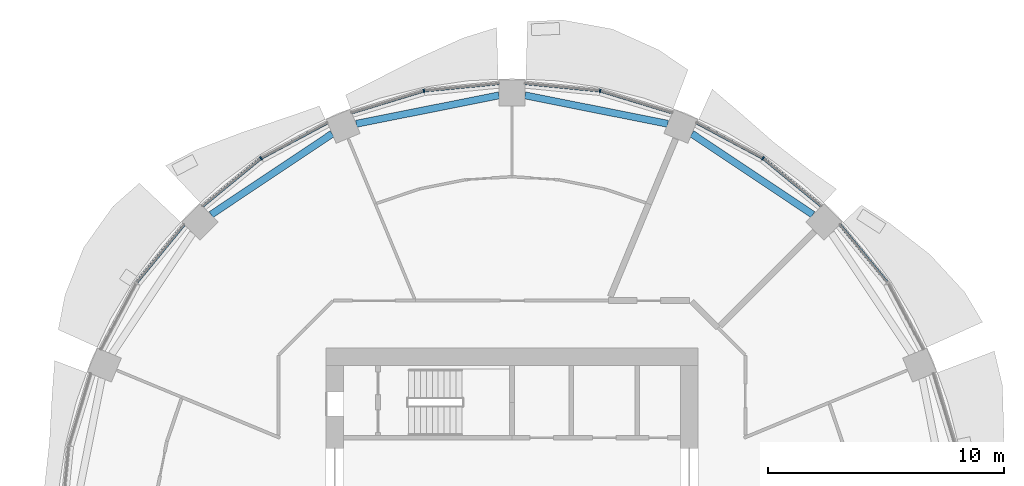
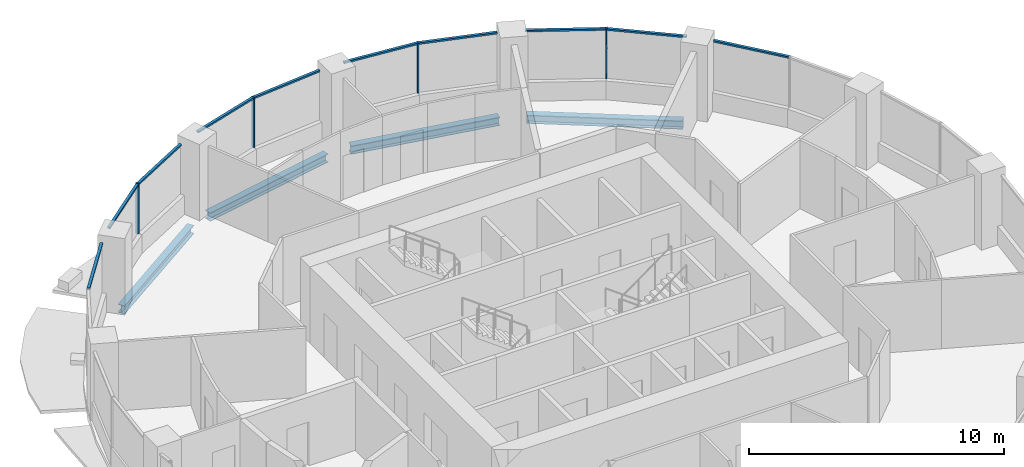
# One storey, part 5 of 14: 14 members, 4 beams, 6 elements without a shape of their own.
"""IFC4 building model written with IfcOpenShell, lengths in metres."""

from ifc_helpers import new_model, si_unit, direction, frame, origin, origin_2d, place, context, subcontext, project, spatial, rectangle, i_section, extrude, material, material_profile, profile_set, type_object, element, aggregate, save


model = new_model("IFC4")

# Units and contexts
model_context = context("Model", 3, precision=1e-05, world=origin(), true_north=direction((0.0, 1.0)))
body_context = subcontext(model_context, "Body", "Model", "MODEL_VIEW")
ifc_project = project(units=[si_unit("LENGTHUNIT", "METRE"), si_unit("AREAUNIT", "SQUARE_METRE"), si_unit("VOLUMEUNIT", "CUBIC_METRE"), si_unit("PLANEANGLEUNIT", "RADIAN"), si_unit("MASSUNIT", "GRAM", prefix="KILO")], contexts=[model_context])

# Site, building, storey
site_placement = place(None, origin())
site = spatial("IfcSite", under=ifc_project, at=site_placement, CompositionType="ELEMENT")
building_placement = place(site_placement, origin())
building = spatial("IfcBuilding", under=site, at=building_placement, Name="Polderwave Tower", CompositionType="ELEMENT")
storey_placement = place(building_placement, frame((0.0, 0.0, 98.300048828125)))
storey = spatial("IfcBuildingStorey", under=building, at=storey_placement, Name="L25", CompositionType="ELEMENT", Elevation=98.300048828125)

# Curtain wall, member
ifc_material_1 = material(Name="Aluminium 6063-T6 and glass", Category="aluminium")
curtain_wall_type = type_object("IfcCurtainWallType", Name="Growing floor ribbon glazing wall", PredefinedType="NOTDEFINED", material=ifc_material_1)
curtain_wall_1_placement = place(storey_placement, origin())
curtain_wall_1 = element("IfcCurtainWall", 1, at=curtain_wall_1_placement, inside=storey, type_object=curtain_wall_type, Name="CW2 L25 02", PredefinedType="NOTDEFINED")
ifc_material_2 = material(Name="Aluminium 6063-T6", Category="aluminium")
ifc_material_profile_1 = material_profile(ifc_material_2, rectangle(XDim=0.14990234375, YDim=0.06005859375, at=origin_2d()), Name="AL 60x150")
ifc_profile_set_1 = profile_set([ifc_material_profile_1], Name="Aluminium 6063-T6")
member_type_1 = type_object("IfcMemberType", Name="Growing floor ribbon glazing mullion 60x150", PredefinedType="MULLION", material=ifc_profile_set_1)
member_1_placement = place(storey_placement, frame((10.623046875, 15.89794921875, 0.89990234375), z_axis=(0.0, 0.0, 1.0), x_axis=(-0.555573135393, -0.831467672992, 0.0)))
member_1 = element("IfcMember", 2, at=member_1_placement, type_object=member_type_1, Name="CW2 mullion 1", PredefinedType="MULLION", context=body_context, shape_type="SweptSolid", body=[
    extrude(rectangle(XDim=0.14990234375, YDim=0.06005859375, at=origin_2d()), origin(), (0.0, 0.0, 1.0), 2.400146484375),
])

curtain_wall_2_placement = place(storey_placement, origin())
curtain_wall_2 = element("IfcCurtainWall", 3, at=curtain_wall_2_placement, inside=storey, type_object=curtain_wall_type, Name="CW2 L25 03", PredefinedType="NOTDEFINED")
member_2_placement = place(storey_placement, frame((3.72998046875, 18.7529296875, 0.89990234375), z_axis=(0.0, 0.0, 1.0), x_axis=(-0.195112575278, -0.980780853692, 0.0)))
member_2 = element("IfcMember", 4, at=member_2_placement, type_object=member_type_1, Name="CW2 mullion 1", PredefinedType="MULLION", context=body_context, shape_type="SweptSolid", body=[
    extrude(rectangle(XDim=0.14990234375, YDim=0.06005859375, at=origin_2d()), origin(), (0.0, 0.0, 1.0), 2.400146484375),
])

curtain_wall_3_placement = place(storey_placement, origin())
curtain_wall_3 = element("IfcCurtainWall", 5, at=curtain_wall_3_placement, inside=storey, type_object=curtain_wall_type, Name="CW2 L25 04", PredefinedType="NOTDEFINED")
member_3_placement = place(storey_placement, frame((-3.72998046875, 18.7529296875, 0.89990234375), z_axis=(0.0, 0.0, 1.0), x_axis=(0.195112575278, -0.980780853692, 0.0)))
member_3 = element("IfcMember", 6, at=member_3_placement, type_object=member_type_1, Name="CW2 mullion 1", PredefinedType="MULLION", context=body_context, shape_type="SweptSolid", body=[
    extrude(rectangle(XDim=0.14990234375, YDim=0.06005859375, at=origin_2d()), origin(), (0.0, 0.0, 1.0), 2.400146484375),
])

curtain_wall_4_placement = place(storey_placement, origin())
curtain_wall_4 = element("IfcCurtainWall", 7, at=curtain_wall_4_placement, inside=storey, type_object=curtain_wall_type, Name="CW2 L25 05", PredefinedType="NOTDEFINED")
member_4_placement = place(storey_placement, frame((-10.623046875, 15.89794921875, 0.89990234375), z_axis=(0.0, 0.0, 1.0), x_axis=(0.555573135393, -0.831467672992, 0.0)))
member_4 = element("IfcMember", 8, at=member_4_placement, type_object=member_type_1, Name="CW2 mullion 1", PredefinedType="MULLION", context=body_context, shape_type="SweptSolid", body=[
    extrude(rectangle(XDim=0.14990234375, YDim=0.06005859375, at=origin_2d()), origin(), (0.0, 0.0, 1.0), 2.400146484375),
])

curtain_wall_5_placement = place(storey_placement, origin())
curtain_wall_5 = element("IfcCurtainWall", 9, at=curtain_wall_5_placement, inside=storey, type_object=curtain_wall_type, Name="CW2 L25 01", PredefinedType="NOTDEFINED")
ifc_material_profile_2 = material_profile(ifc_material_2, rectangle(XDim=0.1201171875, YDim=0.080078125, at=origin_2d()), Name="AL 80x120")
ifc_profile_set_2 = profile_set([ifc_material_profile_2], Name="Aluminium 6063-T6")
member_type_2 = type_object("IfcMemberType", Name="Growing floor ribbon glazing transom 80x120", PredefinedType="USERDEFINED", material=ifc_profile_set_2)
member_5_placement = place(storey_placement, frame((15.87890625, 10.646240234375, 3.260009765625), z_axis=(-0.634538762198, 0.772891039712, 0.0), x_axis=(-0.772891039712, -0.634538762198, 0.0)))
member_5 = element("IfcMember", 10, at=member_5_placement, type_object=member_type_2, Name="CW2 transom 2", ObjectType="TRANSOM", PredefinedType="USERDEFINED", context=body_context, shape_type="SweptSolid", body=[
    extrude(rectangle(XDim=0.1201171875, YDim=0.080078125, at=origin_2d()), origin(), (0.0, 0.0, 1.0), 3.165771484375),
])
aggregate(curtain_wall_5, [member_5])

# Member
member_6_placement = place(storey_placement, frame((13.093017578125, 13.8701171875, 3.260009765625), z_axis=(-0.772891039712, 0.634538762198, 0.0), x_axis=(-0.634538762198, -0.772891039712, 0.0)))
member_6 = element("IfcMember", 11, at=member_6_placement, type_object=member_type_2, Name="CW2 transom 1", ObjectType="TRANSOM", PredefinedType="USERDEFINED", context=body_context, shape_type="SweptSolid", body=[
    extrude(rectangle(XDim=0.1201171875, YDim=0.080078125, at=origin_2d()), origin(), (0.0, 0.0, 1.0), 3.165771484375),
])

member_7_placement = place(storey_placement, frame((10.596435546875, 15.912109375, 3.260009765625), z_axis=(-0.882009036404, 0.471232490074, 0.0), x_axis=(-0.471232490074, -0.882009036404, 0.0)))
member_7 = element("IfcMember", 12, at=member_7_placement, type_object=member_type_2, Name="CW2 transom 2", ObjectType="TRANSOM", PredefinedType="USERDEFINED", context=body_context, shape_type="SweptSolid", body=[
    extrude(rectangle(XDim=0.1201171875, YDim=0.080078125, at=origin_2d()), origin(), (0.0, 0.0, 1.0), 3.166015625),
])

aggregate(curtain_wall_1, [member_1, member_6, member_7])

member_8_placement = place(storey_placement, frame((6.7880859375, 17.824951171875, 3.260009765625), z_axis=(-0.956895886584, 0.290431166093, 0.0), x_axis=(-0.290431166093, -0.956895886584, 0.0)))
member_8 = element("IfcMember", 13, at=member_8_placement, type_object=member_type_2, Name="CW2 transom 1", ObjectType="TRANSOM", PredefinedType="USERDEFINED", context=body_context, shape_type="SweptSolid", body=[
    extrude(rectangle(XDim=0.1201171875, YDim=0.080078125, at=origin_2d()), origin(), (0.0, 0.0, 1.0), 3.165771484375),
])

member_9_placement = place(storey_placement, frame((3.7001953125, 18.755859375, 3.260009765625), z_axis=(-0.995191003597, 0.097953388713, 0.0), x_axis=(-0.097953388713, -0.995191003597, 0.0)))
member_9 = element("IfcMember", 14, at=member_9_placement, type_object=member_type_2, Name="CW2 transom 2", ObjectType="TRANSOM", PredefinedType="USERDEFINED", context=body_context, shape_type="SweptSolid", body=[
    extrude(rectangle(XDim=0.1201171875, YDim=0.080078125, at=origin_2d()), origin(), (0.0, 0.0, 1.0), 3.165283203125),
])

aggregate(curtain_wall_2, [member_2, member_8, member_9])

member_10_placement = place(storey_placement, frame((-0.550048828125, 19.06591796875, 3.260009765625), z_axis=(-0.995191003597, -0.097953388713, 0.0), x_axis=(0.097953388713, -0.995191003597, 0.0)))
member_10 = element("IfcMember", 15, at=member_10_placement, type_object=member_type_2, Name="CW2 transom 1", ObjectType="TRANSOM", PredefinedType="USERDEFINED", context=body_context, shape_type="SweptSolid", body=[
    extrude(rectangle(XDim=0.1201171875, YDim=0.080078125, at=origin_2d()), origin(), (0.0, 0.0, 1.0), 3.165283203125),
])

member_11_placement = place(storey_placement, frame((-3.7587890625, 18.744384765625, 3.260009765625), z_axis=(-0.956895886584, -0.290431166093, 0.0), x_axis=(0.290431166093, -0.956895886584, 0.0)))
member_11 = element("IfcMember", 16, at=member_11_placement, type_object=member_type_2, Name="CW2 transom 2", ObjectType="TRANSOM", PredefinedType="USERDEFINED", context=body_context, shape_type="SweptSolid", body=[
    extrude(rectangle(XDim=0.1201171875, YDim=0.080078125, at=origin_2d()), origin(), (0.0, 0.0, 1.0), 3.165771484375),
])

aggregate(curtain_wall_3, [member_3, member_10, member_11])

member_12_placement = place(storey_placement, frame((-7.803955078125, 17.404052734375, 3.260009765625), z_axis=(-0.882009036404, -0.471232490074, 0.0), x_axis=(0.471232490074, -0.882009036404, 0.0)))
member_12 = element("IfcMember", 17, at=member_12_placement, type_object=member_type_2, Name="CW2 transom 1", ObjectType="TRANSOM", PredefinedType="USERDEFINED", context=body_context, shape_type="SweptSolid", body=[
    extrude(rectangle(XDim=0.1201171875, YDim=0.080078125, at=origin_2d()), origin(), (0.0, 0.0, 1.0), 3.166015625),
])

member_13_placement = place(storey_placement, frame((-10.646240234375, 15.87890625, 3.260009765625), z_axis=(-0.772891039712, -0.634538762198, 0.0), x_axis=(0.634538762198, -0.772891039712, 0.0)))
member_13 = element("IfcMember", 18, at=member_13_placement, type_object=member_type_2, Name="CW2 transom 2", ObjectType="TRANSOM", PredefinedType="USERDEFINED", context=body_context, shape_type="SweptSolid", body=[
    extrude(rectangle(XDim=0.1201171875, YDim=0.080078125, at=origin_2d()), origin(), (0.0, 0.0, 1.0), 3.165771484375),
])

aggregate(curtain_wall_4, [member_4, member_12, member_13])

# Curtain wall, member
curtain_wall_6_placement = place(storey_placement, origin())
curtain_wall_6 = element("IfcCurtainWall", 19, at=curtain_wall_6_placement, inside=storey, type_object=curtain_wall_type, Name="CW2 L25 06", PredefinedType="NOTDEFINED")
member_14_placement = place(storey_placement, frame((-13.8701171875, 13.093017578125, 3.260009765625), z_axis=(-0.634538762198, -0.772891039712, 0.0), x_axis=(0.772891039712, -0.634538762198, 0.0)))
member_14 = element("IfcMember", 20, at=member_14_placement, type_object=member_type_2, Name="CW2 transom 1", ObjectType="TRANSOM", PredefinedType="USERDEFINED", context=body_context, shape_type="SweptSolid", body=[
    extrude(rectangle(XDim=0.1201171875, YDim=0.080078125, at=origin_2d()), origin(), (0.0, 0.0, 1.0), 3.165771484375),
])
aggregate(curtain_wall_6, [member_14])

# Beams
ifc_material_3 = material(Name="Steel S355", Category="steel")
ifc_material_profile_3 = material_profile(ifc_material_3, i_section(OverallWidth=0.300048828125, OverallDepth=0.39990234375, WebThickness=0.013427734375, FlangeThickness=0.02392578125, at=origin_2d()), Name="HE 400 B")
ifc_profile_set_3 = profile_set([ifc_material_profile_3], Name="Steel S355")
beam_type = type_object("IfcBeamType", Name="RING BEAM HE 400 B", PredefinedType="BEAM", material=ifc_profile_set_3)
for number, where, z_axis, x_axis, name in (
    (21, (12.7353515625, 13.51318359375, -0.550048828125), (-0.831458658758, 0.555586625808, 0.0), (-0.555586625808, -0.831458658758, 0.0), "ST-RB-L25-02"),
    (22, (6.5947265625, 17.358154296875, -0.550048828125), (-0.980784304918, 0.195095226048, 0.0), (-0.195095226048, -0.980784304918, 0.0), "ST-RB-L25-03"),
    (23, (-0.550048828125, 18.560546875, -0.550048828125), (-0.980784304918, -0.195095226048, 0.0), (0.195095226048, -0.980784304918, 0.0), "ST-RB-L25-04"),
    (24, (-7.611083984375, 16.937255859375, -0.550048828125), (-0.831458658758, -0.555586625808, 0.0), (0.555586625808, -0.831458658758, 0.0), "ST-RB-L25-05"),
):
    element("IfcBeam", number, at=place(storey_placement, frame(where, z_axis=z_axis, x_axis=x_axis)), inside=storey, type_object=beam_type, Name=name, PredefinedType="BEAM", context=body_context, shape_type="SweptSolid", body=[
        extrude(i_section(OverallWidth=0.300048828125, OverallDepth=0.39990234375, WebThickness=0.013427734375, FlangeThickness=0.02392578125, at=origin_2d()), origin(), (0.0, 0.0, 1.0), 6.1630859375),
    ])

save(model, "model.ifc")
